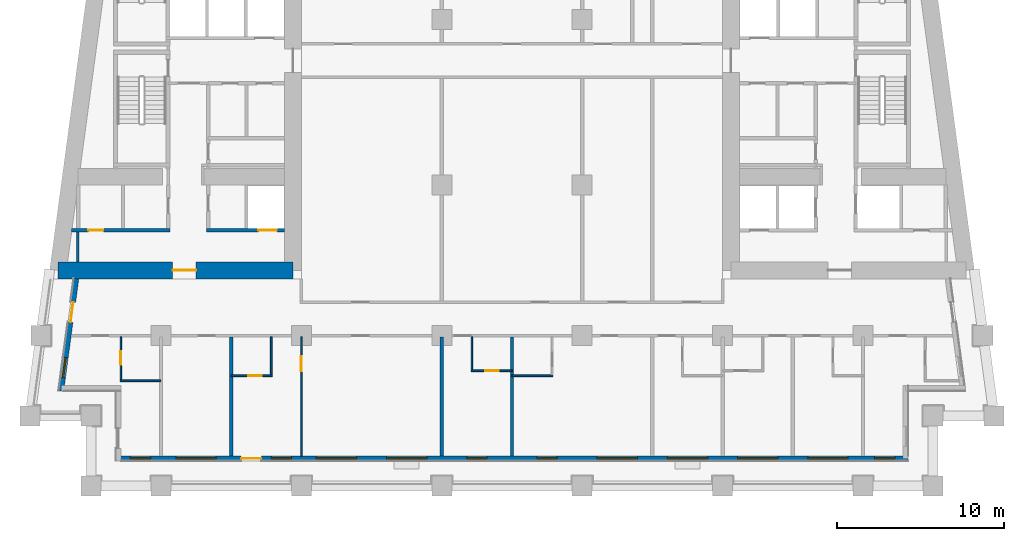
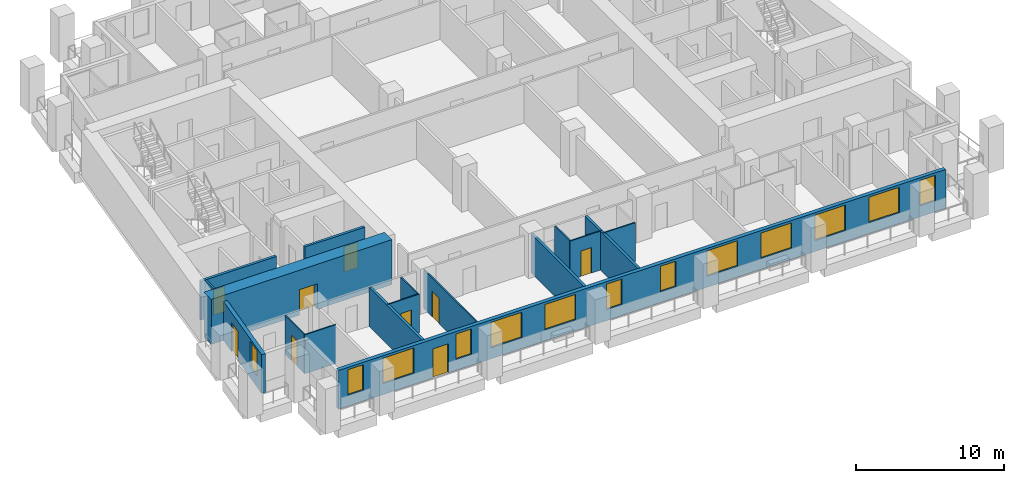
# One storey, part 2 of 13: 17 walls, 13 windows, 9 doors, 22 openings.
"""IFC4 building model written with IfcOpenShell, lengths in metres."""

from ifc_helpers import new_model, si_unit, direction, frame, frame_2d, origin, place, context, subcontext, project, spatial, rectangle, extrude, material, layer, layer_set, type_object, element, fill, save


model = new_model("IFC4")

# Units and contexts
model_context = context("Model", 3, precision=1e-05, world=origin(), true_north=direction((0.0, 1.0)))
body_context = subcontext(model_context, "Body", "Model", "MODEL_VIEW")
ifc_project = project(units=[si_unit("LENGTHUNIT", "METRE"), si_unit("AREAUNIT", "SQUARE_METRE"), si_unit("VOLUMEUNIT", "CUBIC_METRE"), si_unit("PLANEANGLEUNIT", "RADIAN"), si_unit("MASSUNIT", "GRAM", prefix="KILO")], contexts=[model_context])

# Site, building, storey
site_placement = place(None, origin())
site = spatial("IfcSite", under=ifc_project, at=site_placement, CompositionType="ELEMENT")
building_placement = place(site_placement, origin())
building = spatial("IfcBuilding", under=site, at=building_placement, Name="Candeia Pilgrim Tower and Theatre", CompositionType="ELEMENT")
storey_placement = place(building_placement, frame((0.0, 0.0, 131.699951171875)))
storey = spatial("IfcBuildingStorey", under=building, at=storey_placement, Name="L31", CompositionType="ELEMENT", Elevation=131.699951171875)

# Wall, opening, door
ifc_material_1 = material(Name="Concrete C70/85", Category="concrete")
ifc_layer_1 = layer(ifc_material_1, 1.0)
ifc_layer_set_1 = layer_set([ifc_layer_1], Name="Core wall 1000 C70/85")
wall_type_1 = type_object("IfcWallType", Name="Core wall 1000 C70/85", PredefinedType="SHEAR", material=ifc_layer_set_1)
wall_1_placement = place(storey_placement, frame((100.300048828125, 110.89990234375, 0.0), z_axis=(0.0, 0.0, 1.0), x_axis=(-1.0, 0.0, 0.0)))
wall_1 = element("IfcWall", 1, at=wall_1_placement, inside=storey, type_object=wall_type_1, Name="Core wall W3", PredefinedType="SHEAR", context=body_context, shape_type="SweptSolid", body=[
    extrude(rectangle(XDim=14.05908203125, YDim=1.0, at=frame_2d((7.029541015625, 0.0))), origin(), (0.0, 0.0, 1.0), 3.699951171875),
])
opening_1_placement = place(wall_1_placement, frame((5.801513671875, 0.0, 0.0)))
opening_1 = element("IfcOpeningElement", 2, at=opening_1_placement, cuts=wall_1, Name="Opening L31-D058", PredefinedType="OPENING", context=body_context, shape_type="SweptSolid", body=[
    extrude(rectangle(XDim=1.39990234375, YDim=2.10009765625, at=frame_2d((0.699951171875, 1.050048828125))), frame((0.0, 0.510009765625, 0.0), z_axis=(0.0, -1.0, 0.0), x_axis=(1.0, 0.0, 0.0)), (0.0, 0.0, 1.0), 1.02001953125),
])
ifc_material_2 = material(Name="Steel fire door set", Category="steel")
door_type_1 = type_object("IfcDoorType", Name="D-1400-FD60", OperationType="NOTDEFINED", PredefinedType="DOOR", material=ifc_material_2)
door_1_placement = place(opening_1_placement, origin())
door_1 = element("IfcDoor", 3, at=door_1_placement, inside=storey, type_object=door_type_1, Name="Door L31-D058", OperationType="SINGLE_SWING_LEFT", OverallHeight=2.10009765625, OverallWidth=1.39990234375, PredefinedType="DOOR", context=body_context, shape_type="SweptSolid", body=[
    extrude(rectangle(XDim=1.39990234375, YDim=2.10009765625, at=frame_2d((0.699951171875, 1.050048828125))), frame((0.0, 0.02490234375, 0.0), z_axis=(0.0, -1.0, 0.0), x_axis=(1.0, 0.0, 0.0)), (0.0, 0.0, 1.0), 0.050048828125),
])
fill(opening_1, door_1)

# Wall, openings, door, windows
ifc_material_3 = material(Name="Ceramic block masonry", Category="masonry")
ifc_layer_2 = layer(ifc_material_3, 0.300048828125)
ifc_layer_set_2 = layer_set([ifc_layer_2], Name="EW1 glazing-line wall 300")
wall_type_2 = type_object("IfcWallType", Name="EW1 glazing-line wall 300", PredefinedType="SOLIDWALL", material=ifc_layer_set_2)
wall_2_placement = place(storey_placement, frame((89.85009765625, 99.64990234375, 0.0), z_axis=(0.0, 0.0, 1.0), x_axis=(1.0, 0.0, 0.0)))
wall_2 = element("IfcWall", 4, at=wall_2_placement, inside=storey, type_object=wall_type_2, Name="External wall L31-0.0", PredefinedType="SOLIDWALL", context=body_context, shape_type="SweptSolid", body=[
    extrude(rectangle(XDim=47.25, YDim=0.300048828125, at=frame_2d((23.625, 0.0))), origin(), (0.0, 0.0, 1.0), 3.199951171875),
])
opening_2_placement = place(wall_2_placement, frame((0.72509765625, 0.0, 0.89990234375)))
opening_2 = element("IfcOpeningElement", 5, at=opening_2_placement, cuts=wall_2, Name="Opening W-B", PredefinedType="OPENING", context=body_context, shape_type="SweptSolid", body=[
    extrude(rectangle(XDim=1.199951171875, YDim=2.10009765625, at=frame_2d((0.60009765625, 1.050048828125))), frame((0.0, 0.16015625, 0.0), z_axis=(0.0, -1.0, 0.0), x_axis=(1.0, 0.0, 0.0)), (0.0, 0.0, 1.0), 0.320068359375),
])
opening_3_placement = place(wall_2_placement, frame((3.449951171875, 0.0, 0.89990234375)))
opening_3 = element("IfcOpeningElement", 6, at=opening_3_placement, cuts=wall_2, Name="Opening W-A", PredefinedType="OPENING", context=body_context, shape_type="SweptSolid", body=[
    extrude(rectangle(XDim=2.39990234375, YDim=2.10009765625, at=frame_2d((1.199951171875, 1.050048828125))), frame((0.0, 0.16015625, 0.0), z_axis=(0.0, -1.0, 0.0), x_axis=(1.0, 0.0, 0.0)), (0.0, 0.0, 1.0), 0.320068359375),
])
opening_4_placement = place(wall_2_placement, frame((7.35009765625, 0.0, 0.0)))
opening_4 = element("IfcOpeningElement", 7, at=opening_4_placement, cuts=wall_2, Name="Opening L31-ED310", PredefinedType="OPENING", context=body_context, shape_type="SweptSolid", body=[
    extrude(rectangle(XDim=1.199951171875, YDim=2.39990234375, at=frame_2d((0.60009765625, 1.199951171875))), frame((0.0, 0.16015625, 0.0), z_axis=(0.0, -1.0, 0.0), x_axis=(1.0, 0.0, 0.0)), (0.0, 0.0, 1.0), 0.320068359375),
])
opening_5_placement = place(wall_2_placement, frame((9.14990234375, 0.0, 0.89990234375)))
opening_5 = element("IfcOpeningElement", 8, at=opening_5_placement, cuts=wall_2, Name="Opening W-B", PredefinedType="OPENING", context=body_context, shape_type="SweptSolid", body=[
    extrude(rectangle(XDim=1.199951171875, YDim=2.10009765625, at=frame_2d((0.60009765625, 1.050048828125))), frame((0.0, 0.16015625, 0.0), z_axis=(0.0, -1.0, 0.0), x_axis=(1.0, 0.0, 0.0)), (0.0, 0.0, 1.0), 0.320068359375),
])
opening_6_placement = place(wall_2_placement, frame((11.85009765625, 0.0, 0.89990234375)))
opening_6 = element("IfcOpeningElement", 9, at=opening_6_placement, cuts=wall_2, Name="Opening W-A", PredefinedType="OPENING", context=body_context, shape_type="SweptSolid", body=[
    extrude(rectangle(XDim=2.39990234375, YDim=2.10009765625, at=frame_2d((1.199951171875, 1.050048828125))), frame((0.0, 0.16015625, 0.0), z_axis=(0.0, -1.0, 0.0), x_axis=(1.0, 0.0, 0.0)), (0.0, 0.0, 1.0), 0.320068359375),
])
opening_7_placement = place(wall_2_placement, frame((16.050048828125, 0.0, 0.89990234375)))
opening_7 = element("IfcOpeningElement", 10, at=opening_7_placement, cuts=wall_2, Name="Opening W-A", PredefinedType="OPENING", context=body_context, shape_type="SweptSolid", body=[
    extrude(rectangle(XDim=2.39990234375, YDim=2.10009765625, at=frame_2d((1.199951171875, 1.050048828125))), frame((0.0, 0.16015625, 0.0), z_axis=(0.0, -1.0, 0.0), x_axis=(1.0, 0.0, 0.0)), (0.0, 0.0, 1.0), 0.320068359375),
])
opening_8_placement = place(wall_2_placement, frame((20.85009765625, 0.0, 0.89990234375)))
opening_8 = element("IfcOpeningElement", 11, at=opening_8_placement, cuts=wall_2, Name="Opening W-B", PredefinedType="OPENING", context=body_context, shape_type="SweptSolid", body=[
    extrude(rectangle(XDim=1.199951171875, YDim=2.10009765625, at=frame_2d((0.60009765625, 1.050048828125))), frame((0.0, 0.16015625, 0.0), z_axis=(0.0, -1.0, 0.0), x_axis=(1.0, 0.0, 0.0)), (0.0, 0.0, 1.0), 0.320068359375),
])
opening_9_placement = place(wall_2_placement, frame((25.050048828125, 0.0, 0.89990234375)))
opening_9 = element("IfcOpeningElement", 12, at=opening_9_placement, cuts=wall_2, Name="Opening W-B", PredefinedType="OPENING", context=body_context, shape_type="SweptSolid", body=[
    extrude(rectangle(XDim=1.199951171875, YDim=2.10009765625, at=frame_2d((0.60009765625, 1.050048828125))), frame((0.0, 0.16015625, 0.0), z_axis=(0.0, -1.0, 0.0), x_axis=(1.0, 0.0, 0.0)), (0.0, 0.0, 1.0), 0.320068359375),
])
opening_10_placement = place(wall_2_placement, frame((28.64990234375, 0.0, 0.89990234375)))
opening_10 = element("IfcOpeningElement", 13, at=opening_10_placement, cuts=wall_2, Name="Opening W-A", PredefinedType="OPENING", context=body_context, shape_type="SweptSolid", body=[
    extrude(rectangle(XDim=2.39990234375, YDim=2.10009765625, at=frame_2d((1.199951171875, 1.050048828125))), frame((0.0, 0.16015625, 0.0), z_axis=(0.0, -1.0, 0.0), x_axis=(1.0, 0.0, 0.0)), (0.0, 0.0, 1.0), 0.320068359375),
])
opening_11_placement = place(wall_2_placement, frame((32.85009765625, 0.0, 0.89990234375)))
opening_11 = element("IfcOpeningElement", 14, at=opening_11_placement, cuts=wall_2, Name="Opening W-A", PredefinedType="OPENING", context=body_context, shape_type="SweptSolid", body=[
    extrude(rectangle(XDim=2.39990234375, YDim=2.10009765625, at=frame_2d((1.199951171875, 1.050048828125))), frame((0.0, 0.16015625, 0.0), z_axis=(0.0, -1.0, 0.0), x_axis=(1.0, 0.0, 0.0)), (0.0, 0.0, 1.0), 0.320068359375),
])
opening_12_placement = place(wall_2_placement, frame((37.050048828125, 0.0, 0.89990234375)))
opening_12 = element("IfcOpeningElement", 15, at=opening_12_placement, cuts=wall_2, Name="Opening W-A", PredefinedType="OPENING", context=body_context, shape_type="SweptSolid", body=[
    extrude(rectangle(XDim=2.39990234375, YDim=2.10009765625, at=frame_2d((1.199951171875, 1.050048828125))), frame((0.0, 0.16015625, 0.0), z_axis=(0.0, -1.0, 0.0), x_axis=(1.0, 0.0, 0.0)), (0.0, 0.0, 1.0), 0.320068359375),
])
opening_13_placement = place(wall_2_placement, frame((41.25, 0.0, 0.89990234375)))
opening_13 = element("IfcOpeningElement", 16, at=opening_13_placement, cuts=wall_2, Name="Opening W-A", PredefinedType="OPENING", context=body_context, shape_type="SweptSolid", body=[
    extrude(rectangle(XDim=2.39990234375, YDim=2.10009765625, at=frame_2d((1.199951171875, 1.050048828125))), frame((0.0, 0.16015625, 0.0), z_axis=(0.0, -1.0, 0.0), x_axis=(1.0, 0.0, 0.0)), (0.0, 0.0, 1.0), 0.320068359375),
])
opening_14_placement = place(wall_2_placement, frame((45.25, 0.0, 0.89990234375)))
opening_14 = element("IfcOpeningElement", 17, at=opening_14_placement, cuts=wall_2, Name="Opening W-B", PredefinedType="OPENING", context=body_context, shape_type="SweptSolid", body=[
    extrude(rectangle(XDim=1.199951171875, YDim=2.10009765625, at=frame_2d((0.60009765625, 1.050048828125))), frame((0.0, 0.16015625, 0.0), z_axis=(0.0, -1.0, 0.0), x_axis=(1.0, 0.0, 0.0)), (0.0, 0.0, 1.0), 0.320068359375),
])
ifc_material_4 = material(Name="Aluminium framed glazed door", Category="aluminium")
door_type_2 = type_object("IfcDoorType", Name="Loggia door 1200x2400", OperationType="DOUBLE_DOOR_SINGLE_SWING", PredefinedType="DOOR", material=ifc_material_4)
door_2_placement = place(opening_4_placement, origin())
door_2 = element("IfcDoor", 18, at=door_2_placement, inside=storey, type_object=door_type_2, Name="Loggia door L31-ED310", OperationType="DOUBLE_DOOR_SINGLE_SWING", OverallHeight=2.39990234375, OverallWidth=1.199951171875, PredefinedType="DOOR", context=body_context, shape_type="SweptSolid", body=[
    extrude(rectangle(XDim=1.199951171875, YDim=2.39990234375, at=frame_2d((0.60009765625, 1.199951171875))), frame((0.0, 0.02490234375, 0.0), z_axis=(0.0, -1.0, 0.0), x_axis=(1.0, 0.0, 0.0)), (0.0, 0.0, 1.0), 0.050048828125),
])
fill(opening_4, door_2)
ifc_material_5 = material(Name="Aluminium framed double glazing", Category="aluminium")
window_type_1 = type_object("IfcWindowType", Name="W-A window 2400x2100", PartitioningType="DOUBLE_PANEL_VERTICAL", PredefinedType="WINDOW", material=ifc_material_5)
window_1_placement = place(opening_3_placement, origin())
window_1 = element("IfcWindow", 19, at=window_1_placement, inside=storey, type_object=window_type_1, Name="Window W-A L31", OverallHeight=2.10009765625, OverallWidth=2.39990234375, PartitioningType="SINGLE_PANEL", PredefinedType="WINDOW", context=body_context, shape_type="SweptSolid", body=[
    extrude(rectangle(XDim=2.39990234375, YDim=2.10009765625, at=frame_2d((1.199951171875, 1.050048828125))), frame((0.0, 0.030029296875, 0.0), z_axis=(0.0, -1.0, 0.0), x_axis=(1.0, 0.0, 0.0)), (0.0, 0.0, 1.0), 0.06005859375),
])
fill(opening_3, window_1)
window_2_placement = place(opening_6_placement, origin())
window_2 = element("IfcWindow", 20, at=window_2_placement, inside=storey, type_object=window_type_1, Name="Window W-A L31", OverallHeight=2.10009765625, OverallWidth=2.39990234375, PartitioningType="SINGLE_PANEL", PredefinedType="WINDOW", context=body_context, shape_type="SweptSolid", body=[
    extrude(rectangle(XDim=2.39990234375, YDim=2.10009765625, at=frame_2d((1.199951171875, 1.050048828125))), frame((0.0, 0.030029296875, 0.0), z_axis=(0.0, -1.0, 0.0), x_axis=(1.0, 0.0, 0.0)), (0.0, 0.0, 1.0), 0.06005859375),
])
fill(opening_6, window_2)
window_3_placement = place(opening_7_placement, origin())
window_3 = element("IfcWindow", 21, at=window_3_placement, inside=storey, type_object=window_type_1, Name="Window W-A L31", OverallHeight=2.10009765625, OverallWidth=2.39990234375, PartitioningType="SINGLE_PANEL", PredefinedType="WINDOW", context=body_context, shape_type="SweptSolid", body=[
    extrude(rectangle(XDim=2.39990234375, YDim=2.10009765625, at=frame_2d((1.199951171875, 1.050048828125))), frame((0.0, 0.030029296875, 0.0), z_axis=(0.0, -1.0, 0.0), x_axis=(1.0, 0.0, 0.0)), (0.0, 0.0, 1.0), 0.06005859375),
])
fill(opening_7, window_3)
window_4_placement = place(opening_10_placement, origin())
window_4 = element("IfcWindow", 22, at=window_4_placement, inside=storey, type_object=window_type_1, Name="Window W-A L31", OverallHeight=2.10009765625, OverallWidth=2.39990234375, PartitioningType="SINGLE_PANEL", PredefinedType="WINDOW", context=body_context, shape_type="SweptSolid", body=[
    extrude(rectangle(XDim=2.39990234375, YDim=2.10009765625, at=frame_2d((1.199951171875, 1.050048828125))), frame((0.0, 0.030029296875, 0.0), z_axis=(0.0, -1.0, 0.0), x_axis=(1.0, 0.0, 0.0)), (0.0, 0.0, 1.0), 0.06005859375),
])
fill(opening_10, window_4)
window_5_placement = place(opening_11_placement, origin())
window_5 = element("IfcWindow", 23, at=window_5_placement, inside=storey, type_object=window_type_1, Name="Window W-A L31", OverallHeight=2.10009765625, OverallWidth=2.39990234375, PartitioningType="SINGLE_PANEL", PredefinedType="WINDOW", context=body_context, shape_type="SweptSolid", body=[
    extrude(rectangle(XDim=2.39990234375, YDim=2.10009765625, at=frame_2d((1.199951171875, 1.050048828125))), frame((0.0, 0.030029296875, 0.0), z_axis=(0.0, -1.0, 0.0), x_axis=(1.0, 0.0, 0.0)), (0.0, 0.0, 1.0), 0.06005859375),
])
fill(opening_11, window_5)
window_6_placement = place(opening_12_placement, origin())
window_6 = element("IfcWindow", 24, at=window_6_placement, inside=storey, type_object=window_type_1, Name="Window W-A L31", OverallHeight=2.10009765625, OverallWidth=2.39990234375, PartitioningType="SINGLE_PANEL", PredefinedType="WINDOW", context=body_context, shape_type="SweptSolid", body=[
    extrude(rectangle(XDim=2.39990234375, YDim=2.10009765625, at=frame_2d((1.199951171875, 1.050048828125))), frame((0.0, 0.030029296875, 0.0), z_axis=(0.0, -1.0, 0.0), x_axis=(1.0, 0.0, 0.0)), (0.0, 0.0, 1.0), 0.06005859375),
])
fill(opening_12, window_6)
window_7_placement = place(opening_13_placement, origin())
window_7 = element("IfcWindow", 25, at=window_7_placement, inside=storey, type_object=window_type_1, Name="Window W-A L31", OverallHeight=2.10009765625, OverallWidth=2.39990234375, PartitioningType="SINGLE_PANEL", PredefinedType="WINDOW", context=body_context, shape_type="SweptSolid", body=[
    extrude(rectangle(XDim=2.39990234375, YDim=2.10009765625, at=frame_2d((1.199951171875, 1.050048828125))), frame((0.0, 0.030029296875, 0.0), z_axis=(0.0, -1.0, 0.0), x_axis=(1.0, 0.0, 0.0)), (0.0, 0.0, 1.0), 0.06005859375),
])
fill(opening_13, window_7)
window_type_2 = type_object("IfcWindowType", Name="W-B window 1200x2100", PartitioningType="SINGLE_PANEL", PredefinedType="WINDOW", material=ifc_material_5)
window_8_placement = place(opening_2_placement, origin())
window_8 = element("IfcWindow", 26, at=window_8_placement, inside=storey, type_object=window_type_2, Name="Window W-B L31", OverallHeight=2.10009765625, OverallWidth=1.199951171875, PartitioningType="SINGLE_PANEL", PredefinedType="WINDOW", context=body_context, shape_type="SweptSolid", body=[
    extrude(rectangle(XDim=1.199951171875, YDim=2.10009765625, at=frame_2d((0.60009765625, 1.050048828125))), frame((0.0, 0.030029296875, 0.0), z_axis=(0.0, -1.0, 0.0), x_axis=(1.0, 0.0, 0.0)), (0.0, 0.0, 1.0), 0.06005859375),
])
fill(opening_2, window_8)
window_9_placement = place(opening_5_placement, origin())
window_9 = element("IfcWindow", 27, at=window_9_placement, inside=storey, type_object=window_type_2, Name="Window W-B L31", OverallHeight=2.10009765625, OverallWidth=1.199951171875, PartitioningType="SINGLE_PANEL", PredefinedType="WINDOW", context=body_context, shape_type="SweptSolid", body=[
    extrude(rectangle(XDim=1.199951171875, YDim=2.10009765625, at=frame_2d((0.60009765625, 1.050048828125))), frame((0.0, 0.030029296875, 0.0), z_axis=(0.0, -1.0, 0.0), x_axis=(1.0, 0.0, 0.0)), (0.0, 0.0, 1.0), 0.06005859375),
])
fill(opening_5, window_9)
window_10_placement = place(opening_8_placement, origin())
window_10 = element("IfcWindow", 28, at=window_10_placement, inside=storey, type_object=window_type_2, Name="Window W-B L31", OverallHeight=2.10009765625, OverallWidth=1.199951171875, PartitioningType="SINGLE_PANEL", PredefinedType="WINDOW", context=body_context, shape_type="SweptSolid", body=[
    extrude(rectangle(XDim=1.199951171875, YDim=2.10009765625, at=frame_2d((0.60009765625, 1.050048828125))), frame((0.0, 0.030029296875, 0.0), z_axis=(0.0, -1.0, 0.0), x_axis=(1.0, 0.0, 0.0)), (0.0, 0.0, 1.0), 0.06005859375),
])
fill(opening_8, window_10)
window_11_placement = place(opening_9_placement, origin())
window_11 = element("IfcWindow", 29, at=window_11_placement, inside=storey, type_object=window_type_2, Name="Window W-B L31", OverallHeight=2.10009765625, OverallWidth=1.199951171875, PartitioningType="SINGLE_PANEL", PredefinedType="WINDOW", context=body_context, shape_type="SweptSolid", body=[
    extrude(rectangle(XDim=1.199951171875, YDim=2.10009765625, at=frame_2d((0.60009765625, 1.050048828125))), frame((0.0, 0.030029296875, 0.0), z_axis=(0.0, -1.0, 0.0), x_axis=(1.0, 0.0, 0.0)), (0.0, 0.0, 1.0), 0.06005859375),
])
fill(opening_9, window_11)
window_12_placement = place(opening_14_placement, origin())
window_12 = element("IfcWindow", 30, at=window_12_placement, inside=storey, type_object=window_type_2, Name="Window W-B L31", OverallHeight=2.10009765625, OverallWidth=1.199951171875, PartitioningType="SINGLE_PANEL", PredefinedType="WINDOW", context=body_context, shape_type="SweptSolid", body=[
    extrude(rectangle(XDim=1.199951171875, YDim=2.10009765625, at=frame_2d((0.60009765625, 1.050048828125))), frame((0.0, 0.030029296875, 0.0), z_axis=(0.0, -1.0, 0.0), x_axis=(1.0, 0.0, 0.0)), (0.0, 0.0, 1.0), 0.06005859375),
])
fill(opening_14, window_12)

# Wall, openings, door, window
wall_3_placement = place(storey_placement, frame((87.334228515625, 110.39990234375, 0.0), z_axis=(0.0, 0.0, 1.0), x_axis=(-0.133437175554, -0.991057273915, 0.0)))
wall_3 = element("IfcWall", 31, at=wall_3_placement, inside=storey, type_object=wall_type_2, Name="External wall L31-9.1", PredefinedType="SOLIDWALL", context=body_context, shape_type="SweptSolid", body=[
    extrude(rectangle(XDim=6.780517578125, YDim=0.300048828125, at=frame_2d((3.39013671875, 0.0))), origin(), (0.0, 0.0, 1.0), 3.199951171875),
])
opening_15_placement = place(wall_3_placement, frame((1.41796875, 0.0, 0.0)))
opening_15 = element("IfcOpeningElement", 32, at=opening_15_placement, cuts=wall_3, Name="Opening L31-ED317", PredefinedType="OPENING", context=body_context, shape_type="SweptSolid", body=[
    extrude(rectangle(XDim=1.199951171875, YDim=2.39990234375, at=frame_2d((0.60009765625, 1.199951171875))), frame((0.0, 0.16015625, 0.0), z_axis=(0.0, -1.0, 0.0), x_axis=(1.0, 0.0, 0.0)), (0.0, 0.0, 1.0), 0.320068359375),
])
opening_16_placement = place(wall_3_placement, frame((4.75830078125, 0.0, 0.89990234375)))
opening_16 = element("IfcOpeningElement", 33, at=opening_16_placement, cuts=wall_3, Name="Opening W-B", PredefinedType="OPENING", context=body_context, shape_type="SweptSolid", body=[
    extrude(rectangle(XDim=1.199951171875, YDim=2.10009765625, at=frame_2d((0.60009765625, 1.050048828125))), frame((0.0, 0.16015625, 0.0), z_axis=(0.0, -1.0, 0.0), x_axis=(1.0, 0.0, 0.0)), (0.0, 0.0, 1.0), 0.320068359375),
])
door_3_placement = place(opening_15_placement, origin())
door_3 = element("IfcDoor", 34, at=door_3_placement, inside=storey, type_object=door_type_2, Name="Loggia door L31-ED317", OperationType="DOUBLE_DOOR_SINGLE_SWING", OverallHeight=2.39990234375, OverallWidth=1.199951171875, PredefinedType="DOOR", context=body_context, shape_type="SweptSolid", body=[
    extrude(rectangle(XDim=1.199951171875, YDim=2.39990234375, at=frame_2d((0.60009765625, 1.199951171875))), frame((0.0, 0.02490234375, 0.0), z_axis=(0.0, -1.0, 0.0), x_axis=(1.0, 0.0, 0.0)), (0.0, 0.0, 1.0), 0.050048828125),
])
fill(opening_15, door_3)
window_13_placement = place(opening_16_placement, origin())
window_13 = element("IfcWindow", 35, at=window_13_placement, inside=storey, type_object=window_type_2, Name="Window W-B L31", OverallHeight=2.10009765625, OverallWidth=1.199951171875, PartitioningType="SINGLE_PANEL", PredefinedType="WINDOW", context=body_context, shape_type="SweptSolid", body=[
    extrude(rectangle(XDim=1.199951171875, YDim=2.10009765625, at=frame_2d((0.60009765625, 1.050048828125))), frame((0.0, 0.030029296875, 0.0), z_axis=(0.0, -1.0, 0.0), x_axis=(1.0, 0.0, 0.0)), (0.0, 0.0, 1.0), 0.06005859375),
])
fill(opening_16, window_13)

# Wall
ifc_material_6 = material(Name="Gypsum board partition on steel studs", Category="steel")
ifc_layer_3 = layer(ifc_material_6, 0.10009765625)
ifc_layer_set_3 = layer_set([ifc_layer_3], Name="PW-100 room partition")
wall_type_3 = type_object("IfcWallType", Name="PW-100 room partition", PredefinedType="PARTITIONING", material=ifc_layer_set_3)
wall_4_placement = place(storey_placement, frame((89.949951171875, 104.300048828125, 0.0), z_axis=(0.0, 0.0, 1.0), x_axis=(1.0, 0.0, 0.0)))
element("IfcWall", 36, at=wall_4_placement, inside=storey, type_object=wall_type_3, Name="Room partition L31-001", PredefinedType="PARTITIONING", context=body_context, shape_type="SweptSolid", body=[
    extrude(rectangle(XDim=2.449951171875, YDim=0.10009765625, at=frame_2d((1.22509765625, 0.0))), origin(), (0.0, 0.0, 1.0), 3.199951171875),
])

# Wall, opening, door
wall_5_placement = place(storey_placement, frame((96.60009765625, 104.60009765625, 0.0), z_axis=(0.0, 0.0, 1.0), x_axis=(1.0, 0.0, 0.0)))
wall_5 = element("IfcWall", 37, at=wall_5_placement, inside=storey, type_object=wall_type_3, Name="Room partition L31-003", PredefinedType="PARTITIONING", context=body_context, shape_type="SweptSolid", body=[
    extrude(rectangle(XDim=2.449951171875, YDim=0.10009765625, at=frame_2d((1.22509765625, 0.0))), origin(), (0.0, 0.0, 1.0), 3.199951171875),
])
opening_17_placement = place(wall_5_placement, frame((1.02490234375, 0.0, 0.0)))
opening_17 = element("IfcOpeningElement", 38, at=opening_17_placement, cuts=wall_5, Name="Opening L31-D022", PredefinedType="OPENING", context=body_context, shape_type="SweptSolid", body=[
    extrude(rectangle(XDim=0.800048828125, YDim=2.10009765625, at=frame_2d((0.39990234375, 1.050048828125))), frame((0.0, 0.06005859375, 0.0), z_axis=(0.0, -1.0, 0.0), x_axis=(1.0, 0.0, 0.0)), (0.0, 0.0, 1.0), 0.1201171875),
])
ifc_material_7 = material(Name="Timber door leaf", Category="wood")
door_type_3 = type_object("IfcDoorType", Name="D-800", OperationType="NOTDEFINED", PredefinedType="DOOR", material=ifc_material_7)
door_4_placement = place(opening_17_placement, origin())
door_4 = element("IfcDoor", 39, at=door_4_placement, inside=storey, type_object=door_type_3, Name="Door L31-D022", OperationType="SINGLE_SWING_LEFT", OverallHeight=2.10009765625, OverallWidth=0.800048828125, PredefinedType="DOOR", context=body_context, shape_type="SweptSolid", body=[
    extrude(rectangle(XDim=0.800048828125, YDim=2.10009765625, at=frame_2d((0.39990234375, 1.050048828125))), frame((0.0, 0.02490234375, 0.0), z_axis=(0.0, -1.0, 0.0), x_axis=(1.0, 0.0, 0.0)), (0.0, 0.0, 1.0), 0.050048828125),
])
fill(opening_17, door_4)

# Wall
wall_6_placement = place(storey_placement, frame((113.39990234375, 104.60009765625, 0.0), z_axis=(0.0, 0.0, 1.0), x_axis=(1.0, 0.0, 0.0)))
element("IfcWall", 40, at=wall_6_placement, inside=storey, type_object=wall_type_3, Name="Room partition L31-004", PredefinedType="PARTITIONING", context=body_context, shape_type="SweptSolid", body=[
    extrude(rectangle(XDim=2.4501953125, YDim=0.10009765625, at=frame_2d((1.22509765625, 0.0))), origin(), (0.0, 0.0, 1.0), 3.199951171875),
])

# Wall, opening, door
wall_7_placement = place(storey_placement, frame((110.949951171875, 104.89990234375, 0.0), z_axis=(0.0, 0.0, 1.0), x_axis=(1.0, 0.0, 0.0)))
wall_7 = element("IfcWall", 41, at=wall_7_placement, inside=storey, type_object=wall_type_3, Name="Room partition L31-007", PredefinedType="PARTITIONING", context=body_context, shape_type="SweptSolid", body=[
    extrude(rectangle(XDim=2.449951171875, YDim=0.10009765625, at=frame_2d((1.22509765625, 0.0))), origin(), (0.0, 0.0, 1.0), 3.199951171875),
])
opening_18_placement = place(wall_7_placement, frame((0.85009765625, 0.0, 0.0)))
opening_18 = element("IfcOpeningElement", 42, at=opening_18_placement, cuts=wall_7, Name="Opening L31-D024", PredefinedType="OPENING", context=body_context, shape_type="SweptSolid", body=[
    extrude(rectangle(XDim=0.800048828125, YDim=2.10009765625, at=frame_2d((0.39990234375, 1.050048828125))), frame((0.0, 0.06005859375, 0.0), z_axis=(0.0, -1.0, 0.0), x_axis=(1.0, 0.0, 0.0)), (0.0, 0.0, 1.0), 0.1201171875),
])
door_5_placement = place(opening_18_placement, origin())
door_5 = element("IfcDoor", 43, at=door_5_placement, inside=storey, type_object=door_type_3, Name="Door L31-D024", OperationType="SINGLE_SWING_LEFT", OverallHeight=2.10009765625, OverallWidth=0.800048828125, PredefinedType="DOOR", context=body_context, shape_type="SweptSolid", body=[
    extrude(rectangle(XDim=0.800048828125, YDim=2.10009765625, at=frame_2d((0.39990234375, 1.050048828125))), frame((0.0, 0.02490234375, 0.0), z_axis=(0.0, -1.0, 0.0), x_axis=(1.0, 0.0, 0.0)), (0.0, 0.0, 1.0), 0.050048828125),
])
fill(opening_18, door_5)

wall_8_placement = place(storey_placement, frame((90.0, 104.35009765625, 0.0), z_axis=(0.0, 0.0, 1.0), x_axis=(0.0, 1.0, 0.0)))
wall_8 = element("IfcWall", 44, at=wall_8_placement, inside=storey, type_object=wall_type_3, Name="Room partition L31-053", PredefinedType="PARTITIONING", context=body_context, shape_type="SweptSolid", body=[
    extrude(rectangle(XDim=2.574951171875, YDim=0.10009765625, at=frame_2d((1.28759765625, 0.0))), origin(), (0.0, 0.0, 1.0), 3.199951171875),
])
opening_19_placement = place(wall_8_placement, frame((0.89990234375, 0.0, 0.0)))
opening_19 = element("IfcOpeningElement", 45, at=opening_19_placement, cuts=wall_8, Name="Opening L31-D018", PredefinedType="OPENING", context=body_context, shape_type="SweptSolid", body=[
    extrude(rectangle(XDim=0.800048828125, YDim=2.10009765625, at=frame_2d((0.39990234375, 1.050048828125))), frame((0.0, 0.06005859375, 0.0), z_axis=(0.0, -1.0, 0.0), x_axis=(1.0, 0.0, 0.0)), (0.0, 0.0, 1.0), 0.1201171875),
])
door_6_placement = place(opening_19_placement, origin())
door_6 = element("IfcDoor", 46, at=door_6_placement, inside=storey, type_object=door_type_3, Name="Door L31-D018", OperationType="SINGLE_SWING_LEFT", OverallHeight=2.10009765625, OverallWidth=0.800048828125, PredefinedType="DOOR", context=body_context, shape_type="SweptSolid", body=[
    extrude(rectangle(XDim=0.800048828125, YDim=2.10009765625, at=frame_2d((0.39990234375, 1.050048828125))), frame((0.0, 0.02490234375, 0.0), z_axis=(0.0, -1.0, 0.0), x_axis=(1.0, 0.0, 0.0)), (0.0, 0.0, 1.0), 0.050048828125),
])
fill(opening_19, door_6)

# Wall
wall_9_placement = place(storey_placement, frame((99.0, 104.64990234375, 0.0), z_axis=(0.0, 0.0, 1.0), x_axis=(0.0, 1.0, 0.0)))
element("IfcWall", 47, at=wall_9_placement, inside=storey, type_object=wall_type_3, Name="Room partition L31-071", PredefinedType="PARTITIONING", context=body_context, shape_type="SweptSolid", body=[
    extrude(rectangle(XDim=2.275146484375, YDim=0.10009765625, at=frame_2d((1.1376953125, 0.0))), origin(), (0.0, 0.0, 1.0), 3.199951171875),
])

# Wall, opening, door
wall_10_placement = place(storey_placement, frame((100.800048828125, 99.7900390625, 0.0), z_axis=(0.0, 0.0, 1.0), x_axis=(0.0, 1.0, 0.0)))
wall_10 = element("IfcWall", 48, at=wall_10_placement, inside=storey, type_object=wall_type_3, Name="Room partition L31-072", PredefinedType="PARTITIONING", context=body_context, shape_type="SweptSolid", body=[
    extrude(rectangle(XDim=7.135009765625, YDim=0.10009765625, at=frame_2d((3.5673828125, 0.0))), origin(), (0.0, 0.0, 1.0), 3.199951171875),
])
opening_20_placement = place(wall_10_placement, frame((5.074951171875, 0.0, 0.0)))
opening_20 = element("IfcOpeningElement", 49, at=opening_20_placement, cuts=wall_10, Name="Opening L31-D021", PredefinedType="OPENING", context=body_context, shape_type="SweptSolid", body=[
    extrude(rectangle(XDim=0.89990234375, YDim=2.10009765625, at=frame_2d((0.449951171875, 1.050048828125))), frame((0.0, 0.06005859375, 0.0), z_axis=(0.0, -1.0, 0.0), x_axis=(1.0, 0.0, 0.0)), (0.0, 0.0, 1.0), 0.1201171875),
])
door_type_4 = type_object("IfcDoorType", Name="D-900", OperationType="NOTDEFINED", PredefinedType="DOOR", material=ifc_material_7)
door_7_placement = place(opening_20_placement, origin())
door_7 = element("IfcDoor", 50, at=door_7_placement, inside=storey, type_object=door_type_4, Name="Door L31-D021", OperationType="SINGLE_SWING_RIGHT", OverallHeight=2.10009765625, OverallWidth=0.89990234375, PredefinedType="DOOR", context=body_context, shape_type="SweptSolid", body=[
    extrude(rectangle(XDim=0.89990234375, YDim=2.10009765625, at=frame_2d((0.449951171875, 1.050048828125))), frame((0.0, 0.02490234375, 0.0), z_axis=(0.0, -1.0, 0.0), x_axis=(1.0, 0.0, 0.0)), (0.0, 0.0, 1.0), 0.050048828125),
])
fill(opening_20, door_7)

# Walls
wall_11_placement = place(storey_placement, frame((111.0, 104.949951171875, 0.0), z_axis=(0.0, 0.0, 1.0), x_axis=(0.0, 1.0, 0.0)))
element("IfcWall", 51, at=wall_11_placement, inside=storey, type_object=wall_type_3, Name="Room partition L31-083", PredefinedType="PARTITIONING", context=body_context, shape_type="SweptSolid", body=[
    extrude(rectangle(XDim=1.97509765625, YDim=0.10009765625, at=frame_2d((0.987548828125, 0.0))), origin(), (0.0, 0.0, 1.0), 3.199951171875),
])
ifc_layer_4 = layer(ifc_material_6, 0.14990234375)
ifc_layer_set_4 = layer_set([ifc_layer_4], Name="PW-150 lobby wall")
wall_type_4 = type_object("IfcWallType", Name="PW-150 lobby wall", PredefinedType="PARTITIONING", material=ifc_layer_set_4)
wall_12_placement = place(storey_placement, frame((87.428955078125, 111.39990234375, 0.0), z_axis=(0.0, 0.0, 1.0), x_axis=(0.0, 1.0, 0.0)))
element("IfcWall", 52, at=wall_12_placement, inside=storey, type_object=wall_type_4, Name="Lobby wall L31-050", PredefinedType="PARTITIONING", context=body_context, shape_type="SweptSolid", body=[
    extrude(rectangle(XDim=1.800048828125, YDim=0.14990234375, at=frame_2d((0.89990234375, 0.0))), origin(), (0.0, 0.0, 1.0), 3.199951171875),
])
ifc_layer_5 = layer(ifc_material_6, 0.199951171875)
ifc_layer_set_5 = layer_set([ifc_layer_5], Name="PW-200 party wall")
wall_type_5 = type_object("IfcWallType", Name="PW-200 party wall", PredefinedType="PARTITIONING", material=ifc_layer_set_5)
for number, where, z_axis, x_axis, name in (
    (53, (96.60009765625, 99.7900390625, 0.0), (0.0, 0.0, 1.0), (0.0, 1.0, 0.0), "Party wall L31-066"),
    (54, (109.199951171875, 99.7900390625, 0.0), (0.0, 0.0, 1.0), (0.0, 1.0, 0.0), "Party wall L31-079"),
    (55, (113.39990234375, 99.7900390625, 0.0), (0.0, 0.0, 1.0), (0.0, 1.0, 0.0), "Party wall L31-084"),
):
    element("IfcWall", number, at=place(storey_placement, frame(where, z_axis=z_axis, x_axis=x_axis)), inside=storey, type_object=wall_type_5, Name=name, PredefinedType="PARTITIONING", context=body_context, shape_type="SweptSolid", body=[
        extrude(rectangle(XDim=7.135009765625, YDim=0.199951171875, at=frame_2d((3.5673828125, 0.0))), origin(), (0.0, 0.0, 1.0), 3.199951171875),
    ])

# Wall, opening, door
ifc_material_8 = material(Name="Concrete C40/50", Category="concrete")
ifc_layer_6 = layer(ifc_material_8, 0.199951171875)
ifc_layer_set_6 = layer_set([ifc_layer_6], Name="SW-200 shaft wall")
wall_type_6 = type_object("IfcWallType", Name="SW-200 shaft wall", PredefinedType="PARTITIONING", material=ifc_layer_set_6)
wall_13_placement = place(storey_placement, frame((87.03857421875, 113.300048828125, 0.0), z_axis=(0.0, 0.0, 1.0), x_axis=(1.0, 0.0, 0.0)))
wall_13 = element("IfcWall", 56, at=wall_13_placement, inside=storey, type_object=wall_type_6, Name="Shaft wall L31-011", PredefinedType="PARTITIONING", context=body_context, shape_type="SweptSolid", body=[
    extrude(rectangle(XDim=5.888427734375, YDim=0.199951171875, at=frame_2d((2.9443359375, 0.0))), origin(), (0.0, 0.0, 1.0), 3.199951171875),
])
opening_21_placement = place(wall_13_placement, frame((1.015380859375, 0.0, 0.0)))
opening_21 = element("IfcOpeningElement", 57, at=opening_21_placement, cuts=wall_13, Name="Opening L31-D007", PredefinedType="OPENING", context=body_context, shape_type="SweptSolid", body=[
    extrude(rectangle(XDim=0.89990234375, YDim=2.10009765625, at=frame_2d((0.449951171875, 1.050048828125))), frame((0.0, 0.10986328125, 0.0), z_axis=(0.0, -1.0, 0.0), x_axis=(1.0, 0.0, 0.0)), (0.0, 0.0, 1.0), 0.219970703125),
])
door_type_5 = type_object("IfcDoorType", Name="D-900-FD60", OperationType="NOTDEFINED", PredefinedType="DOOR", material=ifc_material_2)
door_8_placement = place(opening_21_placement, origin())
door_8 = element("IfcDoor", 58, at=door_8_placement, inside=storey, type_object=door_type_5, Name="Door L31-D007", OperationType="SINGLE_SWING_LEFT", OverallHeight=2.10009765625, OverallWidth=0.89990234375, PredefinedType="DOOR", context=body_context, shape_type="SweptSolid", body=[
    extrude(rectangle(XDim=0.89990234375, YDim=2.10009765625, at=frame_2d((0.449951171875, 1.050048828125))), frame((0.0, 0.02490234375, 0.0), z_axis=(0.0, -1.0, 0.0), x_axis=(1.0, 0.0, 0.0)), (0.0, 0.0, 1.0), 0.050048828125),
])
fill(opening_21, door_8)

wall_14_placement = place(storey_placement, frame((95.126953125, 113.300048828125, 0.0), z_axis=(0.0, 0.0, 1.0), x_axis=(1.0, 0.0, 0.0)))
wall_14 = element("IfcWall", 59, at=wall_14_placement, inside=storey, type_object=wall_type_6, Name="Shaft wall L31-012", PredefinedType="PARTITIONING", context=body_context, shape_type="SweptSolid", body=[
    extrude(rectangle(XDim=4.673095703125, YDim=0.199951171875, at=frame_2d((2.33642578125, 0.0))), origin(), (0.0, 0.0, 1.0), 3.199951171875),
])
opening_22_placement = place(wall_14_placement, frame((3.10107421875, 0.0, 0.0)))
opening_22 = element("IfcOpeningElement", 60, at=opening_22_placement, cuts=wall_14, Name="Opening L31-LD03", PredefinedType="OPENING", context=body_context, shape_type="SweptSolid", body=[
    extrude(rectangle(XDim=1.10009765625, YDim=2.10009765625, at=frame_2d((0.550048828125, 1.050048828125))), frame((0.0, 0.10986328125, 0.0), z_axis=(0.0, -1.0, 0.0), x_axis=(1.0, 0.0, 0.0)), (0.0, 0.0, 1.0), 0.219970703125),
])
ifc_material_9 = material(Name="Glazed aluminium landing door", Category="aluminium")
door_type_6 = type_object("IfcDoorType", Name="LD-1100-EI120", OperationType="SLIDING_TO_LEFT", PredefinedType="DOOR", material=ifc_material_9)
door_9_placement = place(opening_22_placement, origin())
door_9 = element("IfcDoor", 61, at=door_9_placement, inside=storey, type_object=door_type_6, Name="Landing door 03 L31", OperationType="SLIDING_TO_LEFT", OverallHeight=2.10009765625, OverallWidth=1.10009765625, PredefinedType="DOOR", context=body_context, shape_type="SweptSolid", body=[
    extrude(rectangle(XDim=1.10009765625, YDim=2.10009765625, at=frame_2d((0.550048828125, 1.050048828125))), frame((0.0, 0.02490234375, 0.0), z_axis=(0.0, -1.0, 0.0), x_axis=(1.0, 0.0, 0.0)), (0.0, 0.0, 1.0), 0.050048828125),
])
fill(opening_22, door_9)

save(model, "model.ifc")
